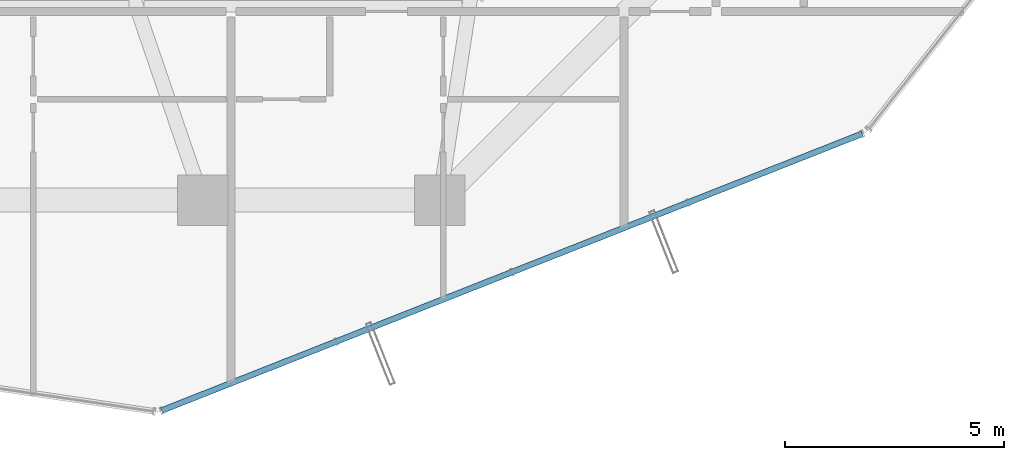
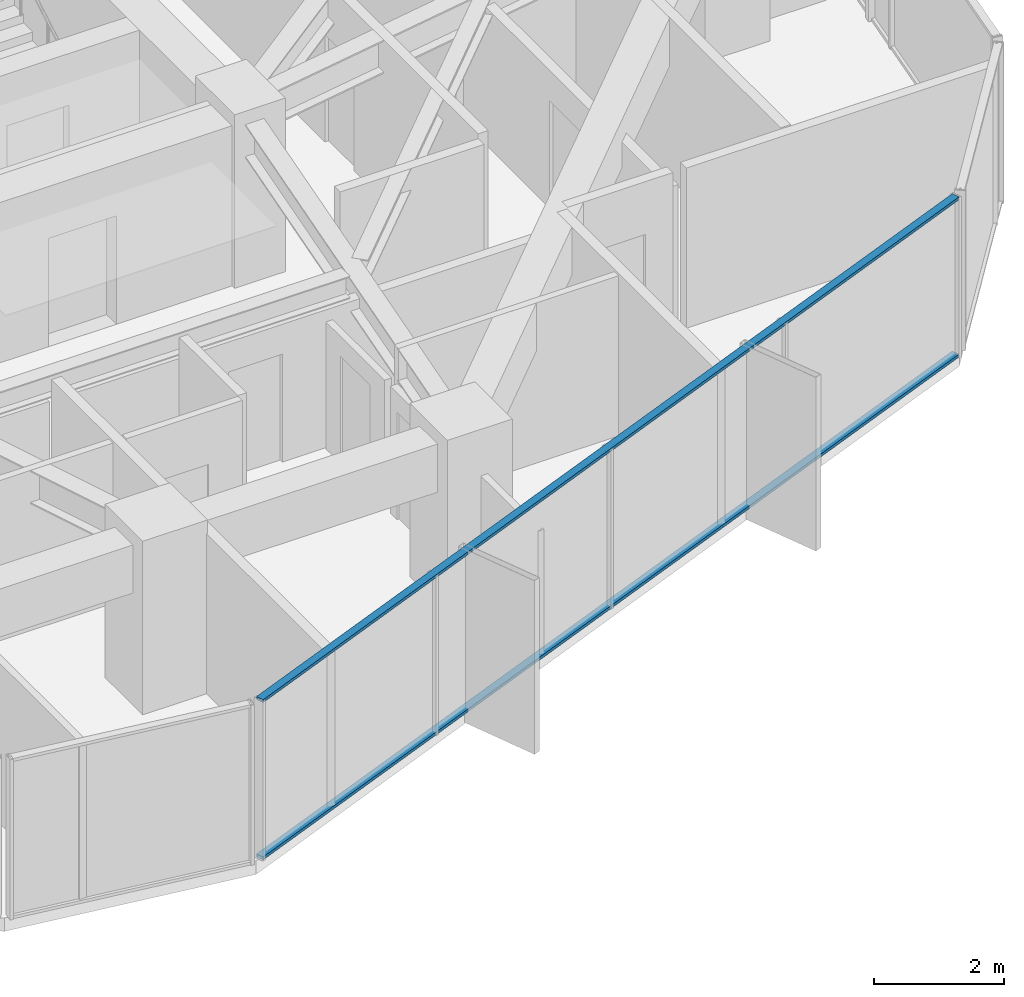
# One storey, part 7 of 29: 2 members, 1 element without a shape of its own.
"""IFC4 building model written with IfcOpenShell, lengths in metres."""

import ifcopenshell
import ifcopenshell.guid

model = None  # the IFC model being written
_history = None  # IfcOwnerHistory: only IFC2X3 demands one
_inside = {}  # id of a spatial element -> (the spatial element, [elements in it])
_under = {}  # id of a project, library or spatial element -> (it, [spatial elements below it])
_declared = {}  # id of a project -> (the project, [libraries it declares])
_typed = {}  # id of a type object -> (the type object, [elements of that type])
_made_of = {}  # id of a material, layer set ... -> (it, [elements and type objects made of it])


def new_model(schema):
    """Start an empty IFC model of exactly this schema.

    Asked for "IFC4X3", IfcOpenShell would pick the latest addendum, in which some entities
    have other attributes; the version numbers below select the first issue.
    IFC2X3 requires an IfcOwnerHistory on every rooted entity: one is made here for all.
    """
    global model, _history
    if schema == "IFC4X3":
        model = ifcopenshell.file(schema_version=(4, 3, 0, 0))
    else:
        model = ifcopenshell.file(schema=schema)
    _inside.clear()
    _under.clear()
    _declared.clear()
    _typed.clear()
    _made_of.clear()
    _history = None
    if model.schema == "IFC2X3":
        org = make("IfcOrganization", Name="unknown")
        user = make(
            "IfcPersonAndOrganization",
            ThePerson=make("IfcPerson", FamilyName="unknown"),
            TheOrganization=org,
        )
        app = make(
            "IfcApplication",
            ApplicationDeveloper=org,
            Version="unknown",
            ApplicationFullName="unknown",
            ApplicationIdentifier="unknown",
        )
        _history = make(
            "IfcOwnerHistory",
            OwningUser=user,
            OwningApplication=app,
            ChangeAction="ADDED",
            CreationDate=0,
        )
    return model


def make(cls, **values):
    """One entity of the class cls with the attributes given. An attribute that is None is left unset."""
    return model.create_entity(
        cls, **{name: value for name, value in values.items() if value is not None}
    )


def rooted(cls, **values):
    """An entity with a GlobalId (a new one), such as an element, a storey or a relation."""
    return make(cls, GlobalId=ifcopenshell.guid.new(), OwnerHistory=_history, **values)


def si_unit(unit_type, name, prefix=None):
    """IfcSIUnit, for example si_unit("LENGTHUNIT", "METRE", prefix="MILLI")."""
    return make("IfcSIUnit", UnitType=unit_type, Prefix=prefix, Name=name)


def assignment(units):
    """IfcUnitAssignment: the units of a project."""
    return None if units is None else make("IfcUnitAssignment", Units=units)


def point(xyz):
    """IfcCartesianPoint."""
    return None if xyz is None else make("IfcCartesianPoint", Coordinates=xyz)


def direction(xyz):
    """IfcDirection."""
    return None if xyz is None else make("IfcDirection", DirectionRatios=xyz)


def frame(location, z_axis=None, x_axis=None):
    """IfcAxis2Placement3D, a coordinate frame: its origin and axes. An axis left out is left unset."""
    return make(
        "IfcAxis2Placement3D",
        Location=point(location),
        Axis=direction(z_axis),
        RefDirection=direction(x_axis),
    )


def frame_2d(location, x_axis=None):
    """IfcAxis2Placement2D, a coordinate frame in the plane: its origin and x axis."""
    return make(
        "IfcAxis2Placement2D", Location=point(location), RefDirection=direction(x_axis)
    )


def origin():
    """The frame at (0, 0, 0) with its axes left unset."""
    return frame((0.0, 0.0, 0.0))


def origin_2d():
    """The frame at (0, 0) in the plane with its x axis left unset."""
    return frame_2d((0.0, 0.0))


def place(relative_to, where):
    """IfcLocalPlacement: puts the frame where relative to a parent placement (None: the world)."""
    return make(
        "IfcLocalPlacement", PlacementRelTo=relative_to, RelativePlacement=where
    )


def context(
    kind, dimensions, precision=None, world=None, true_north=None, identifier=None
):
    """IfcGeometricRepresentationContext, for example the 3D "Model" context."""
    return make(
        "IfcGeometricRepresentationContext",
        ContextIdentifier=identifier,
        ContextType=kind,
        CoordinateSpaceDimension=dimensions,
        Precision=precision,
        WorldCoordinateSystem=world,
        TrueNorth=true_north,
    )


def subcontext(parent, identifier, kind, view, scale=None):
    """IfcGeometricRepresentationSubContext, for example "Body" below "Model"."""
    return make(
        "IfcGeometricRepresentationSubContext",
        ContextIdentifier=identifier,
        ContextType=kind,
        ParentContext=parent,
        TargetScale=scale,
        TargetView=view,
    )


def project(units=None, contexts=None):
    """IfcProject with its units and contexts."""
    return rooted(
        "IfcProject",
        Name="project",
        RepresentationContexts=contexts,
        UnitsInContext=assignment(units),
    )


def spatial(cls, under=None, at=None, **own):
    """A site, building, storey or space (cls), placed at a placement, below another one or the project."""
    s = rooted(cls, ObjectPlacement=at, **own)
    if under is not None:
        _under.setdefault(under.id(), (under, []))[1].append(s)
    return s


def profile(cls, at=None, kind="AREA", **sizes):
    """A parametric profile (cls). Its sizes go by their IFC names, for example OverallWidth=200.0."""
    return make(cls, ProfileType=kind, Position=at, **sizes)


def hollow_rectangle(**sizes):
    """IfcRectangleHollowProfileDef."""
    return profile("IfcRectangleHollowProfileDef", **sizes)


def extrude(swept, where, along, depth):
    """IfcExtrudedAreaSolid: the profile swept, set in the frame where, extruded along a direction by depth."""
    return make(
        "IfcExtrudedAreaSolid",
        SweptArea=swept,
        Position=where,
        ExtrudedDirection=direction(along),
        Depth=depth,
    )


def shape(context_of_items, identifier, shape_type, items):
    """IfcShapeRepresentation: the items that make up one representation, for example the "Body"."""
    return make(
        "IfcShapeRepresentation",
        ContextOfItems=context_of_items,
        RepresentationIdentifier=identifier,
        RepresentationType=shape_type,
        Items=items,
    )


def source(mapping_origin, context_of_items, identifier, shape_type, items):
    """IfcRepresentationMap: a shape defined once, which mapped items show again and again."""
    return make(
        "IfcRepresentationMap",
        MappingOrigin=mapping_origin,
        MappedRepresentation=shape(context_of_items, identifier, shape_type, items),
    )


def transform(
    local_origin,
    x_axis=None,
    y_axis=None,
    z_axis=None,
    scale=None,
    scale2=None,
    scale3=None,
    uniform=True,
):
    """IfcCartesianTransformationOperator3D, or its non-uniform kind. x_axis, y_axis, z_axis: its Axis1, 2, 3."""
    if uniform:
        return make(
            "IfcCartesianTransformationOperator3D",
            Axis1=direction(x_axis),
            Axis2=direction(y_axis),
            LocalOrigin=point(local_origin),
            Scale=scale,
            Axis3=direction(z_axis),
        )
    return make(
        "IfcCartesianTransformationOperator3DnonUniform",
        Axis1=direction(x_axis),
        Axis2=direction(y_axis),
        LocalOrigin=point(local_origin),
        Scale=scale,
        Axis3=direction(z_axis),
        Scale2=scale2,
        Scale3=scale3,
    )


def mapped(mapping_source, mapping_target):
    """IfcMappedItem: shows the shape of a source again, moved by a transform."""
    return make(
        "IfcMappedItem", MappingSource=mapping_source, MappingTarget=mapping_target
    )


def material(Name=None, Category=None):
    """IfcMaterial."""
    return make("IfcMaterial", Name=Name, Category=Category)


def layer(
    of_material, thickness, ventilated=None, Name=None, Category=None, Priority=None
):
    """IfcMaterialLayer: one layer of a wall or slab, of a material (None: an air gap)."""
    return make(
        "IfcMaterialLayer",
        Material=of_material,
        LayerThickness=thickness,
        IsVentilated=ventilated,
        Name=Name,
        Category=Category,
        Priority=Priority,
    )


def layer_set(layers, Name=None):
    """IfcMaterialLayerSet."""
    return make("IfcMaterialLayerSet", MaterialLayers=layers, LayerSetName=Name)


def material_profile(
    of_material, cross_section, Name=None, Category=None, Priority=None
):
    """IfcMaterialProfile: a cross section and its material."""
    return make(
        "IfcMaterialProfile",
        Name=Name,
        Material=of_material,
        Profile=cross_section,
        Priority=Priority,
        Category=Category,
    )


def profile_set(profiles, Name=None, composite=None):
    """IfcMaterialProfileSet."""
    return make(
        "IfcMaterialProfileSet",
        Name=Name,
        MaterialProfiles=profiles,
        CompositeProfile=composite,
    )


def made_of(thing, what):
    """Note that an element or type object is made of a material, layer set ...; save() writes the relation."""
    if what is not None:
        _made_of.setdefault(what.id(), (what, []))[1].append(thing)
    return thing


def type_object(cls, material=None, **own):
    """A type object (cls), such as IfcWallType, which elements share."""
    return made_of(rooted(cls, **own), material)


def element(
    cls,
    number,
    at=None,
    inside=None,
    cuts=None,
    type_object=None,
    material=None,
    context=None,
    identifier="Body",
    shape_type=None,
    held_by="IfcProductDefinitionShape",
    body=None,
    shapes=None,
    **own,
):
    """One element of the class cls, such as IfcWall. Its Tag is "e" and its number.

    at: its placement. inside: the storey or other place that contains it. cuts: it is an
    opening in that element (IfcRelVoidsElement). A single representation is given by context,
    identifier, shape_type and body (its items); several are given by shapes. held_by: the class
    of the entity that holds the representations. save() writes the other relations.
    """
    e = rooted(cls, Tag="e%d" % number, ObjectPlacement=at, **own)
    if body is not None:
        shapes = [shape(context, identifier, shape_type, body)]
    if shapes is not None:
        e.Representation = make(held_by, Representations=shapes)
    if inside is not None:
        _inside.setdefault(inside.id(), (inside, []))[1].append(e)
    if cuts is not None:
        rooted(
            "IfcRelVoidsElement", RelatingBuildingElement=cuts, RelatedOpeningElement=e
        )
    if type_object is not None:
        _typed.setdefault(type_object.id(), (type_object, []))[1].append(e)
    return made_of(e, material)


def aggregate(whole, parts):
    """IfcRelAggregates: a whole, such as a stair, and the parts it consists of."""
    return rooted("IfcRelAggregates", RelatingObject=whole, RelatedObjects=parts)


def save(model, path):
    """Write the relations noted so far, then the file.

    IfcRelAggregates (storeys below a building ...), IfcRelContainedInSpatialStructure (elements
    in a storey), IfcRelDefinesByType, IfcRelAssociatesMaterial and IfcRelDeclares: one each for
    every whole, place, type object, material and project.
    """
    for whole, parts in _under.values():
        aggregate(whole, parts)
    for where, things in _inside.values():
        rooted(
            "IfcRelContainedInSpatialStructure",
            RelatedElements=things,
            RelatingStructure=where,
        )
    for kind, things in _typed.values():
        rooted("IfcRelDefinesByType", RelatedObjects=things, RelatingType=kind)
    for what, things in _made_of.values():
        rooted("IfcRelAssociatesMaterial", RelatedObjects=things, RelatingMaterial=what)
    for by, libraries in _declared.values():
        rooted("IfcRelDeclares", RelatingContext=by, RelatedDefinitions=libraries)
    model.write(path)


model = new_model("IFC4")

# Units and contexts
model_context = context("Model", 3, precision=1e-05, world=origin(), true_north=direction((0.0, 1.0)))
body_context = subcontext(model_context, "Body", "Model", "MODEL_VIEW")
ifc_project = project(units=[si_unit("LENGTHUNIT", "METRE"), si_unit("AREAUNIT", "SQUARE_METRE"), si_unit("VOLUMEUNIT", "CUBIC_METRE"), si_unit("PLANEANGLEUNIT", "RADIAN"), si_unit("MASSUNIT", "GRAM", prefix="KILO")], contexts=[model_context])

# Site, building, storey
site_placement = place(None, origin())
site = spatial("IfcSite", under=ifc_project, at=site_placement, CompositionType="ELEMENT")
building_placement = place(site_placement, origin())
building = spatial("IfcBuilding", under=site, at=building_placement, Name="Veraguas Prism Commons", CompositionType="ELEMENT")
storey_placement = place(building_placement, frame((0.0, 0.0, 99.199951171875)))
storey = spatial("IfcBuildingStorey", under=building, at=storey_placement, Name="L27", CompositionType="ELEMENT", Elevation=99.199951171875)

# Curtain wall, members
ifc_material = material(Name="Anodised aluminium EN AW-6063 T6", Category="aluminium")
ifc_layer = layer(ifc_material, 0.169921875, Name="Unitised Flush Curtain Wall Zone 2", Category="aluminium")
ifc_layer_set = layer_set([ifc_layer], Name="Anodised aluminium EN AW-6063 T6")
curtain_wall_type = type_object("IfcCurtainWallType", Name="Unitised Flush Curtain Wall Zone 2", PredefinedType="NOTDEFINED", material=ifc_layer_set)
curtain_wall_placement = place(storey_placement, origin())
curtain_wall = element("IfcCurtainWall", 1, at=curtain_wall_placement, inside=storey, type_object=curtain_wall_type, Name="Tower Facade Curtain Wall L27-F5", PredefinedType="NOTDEFINED")
ifc_material_profile = material_profile(ifc_material, hollow_rectangle(XDim=0.054931640625, YDim=0.135009765625, WallThickness=0.0029296875, at=origin_2d()), Name="AL55X135X3")
ifc_profile_set = profile_set([ifc_material_profile], Name="Anodised aluminium EN AW-6063 T6")
member_type = type_object("IfcMemberType", Name="Curtain Wall Transom Standard AL 55x135x3", PredefinedType="USERDEFINED", material=ifc_profile_set)
shared_shape = source(origin(), body_context, "Body", "SweptSolid", [
    extrude(hollow_rectangle(XDim=0.054931640625, YDim=0.135009765625, WallThickness=0.0029296875, at=origin_2d()), origin(), (0.0, 0.0, 1.0), 17.17431640625),
])
member_1_placement = place(storey_placement, frame((23.062744140625, 3.00390625, 0.027587890625), z_axis=(0.930030218195, 0.367483051641, 0.0), x_axis=(0.0, 0.0, 1.0)))
member_1 = element("IfcMember", 2, at=member_1_placement, type_object=member_type, Name="CW-Z2 Transom 1", ObjectType="TRANSOM", PredefinedType="USERDEFINED", context=body_context, shape_type="MappedRepresentation", body=[
    mapped(shared_shape, transform((0.0, 0.0, 0.0), scale=1.0)),
])
member_2_placement = place(storey_placement, frame((23.062744140625, 3.00390625, 2.97265625), z_axis=(0.930030218195, 0.367483051641, 0.0), x_axis=(0.0, 0.0, 1.0)))
member_2 = element("IfcMember", 3, at=member_2_placement, type_object=member_type, Name="CW-Z2 Transom 2", ObjectType="TRANSOM", PredefinedType="USERDEFINED", context=body_context, shape_type="MappedRepresentation", body=[
    mapped(shared_shape, transform((0.0, 0.0, 0.0), scale=1.0)),
])
aggregate(curtain_wall, [member_1, member_2])

save(model, "model.ifc")
